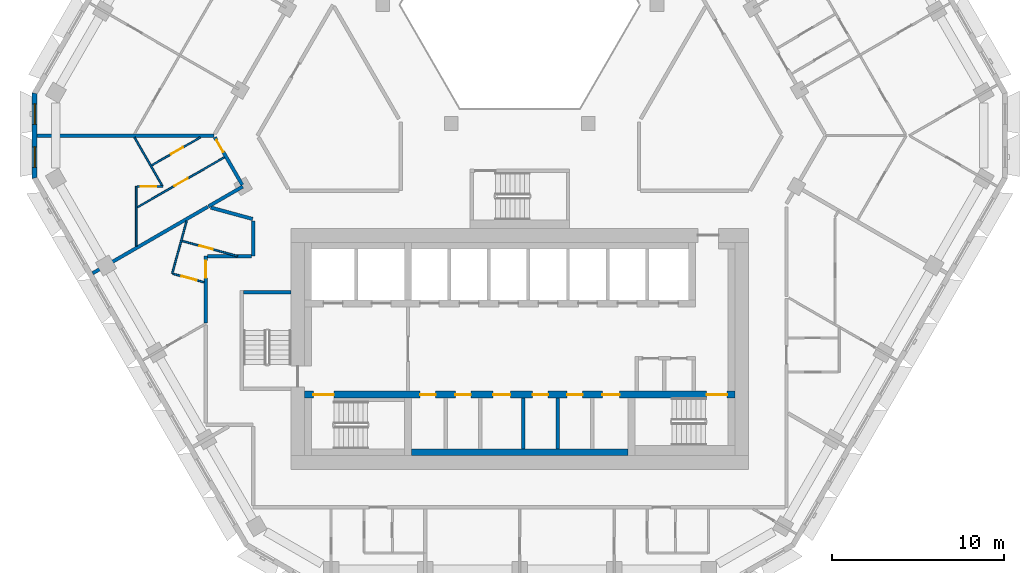
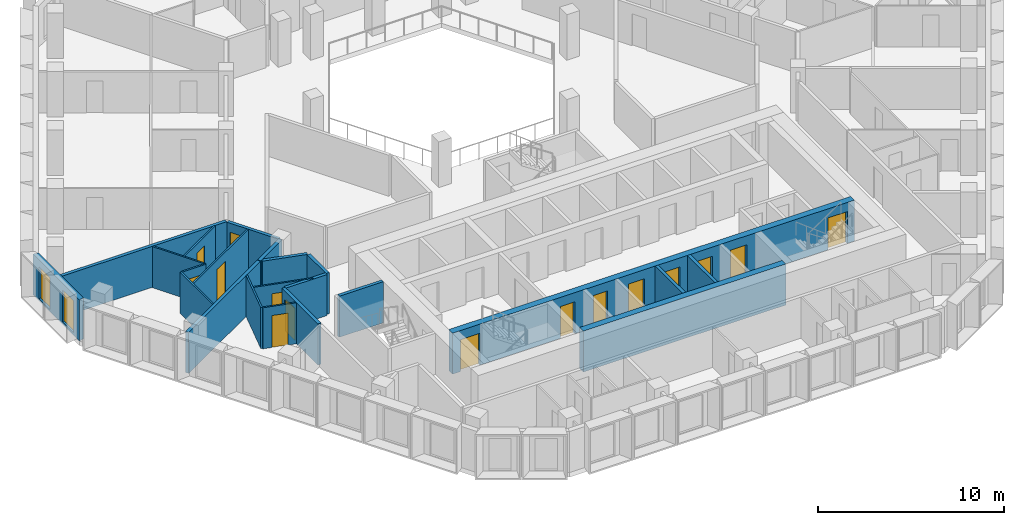
# One storey, part 4 of 18: 22 walls, 15 doors, 2 windows, 17 openings.
"""IFC4 building model written with IfcOpenShell, lengths in metres."""

from ifc_helpers import new_model, si_unit, direction, frame, frame_2d, origin, place, context, subcontext, project, spatial, polyline, rectangle, outline, extrude, material, layer, layer_set, type_object, element, fill, save


model = new_model("IFC4")

# Units and contexts
model_context = context("Model", 3, precision=1e-05, world=origin(), true_north=direction((0.0, 1.0)))
body_context = subcontext(model_context, "Body", "Model", "MODEL_VIEW")
ifc_project = project(units=[si_unit("LENGTHUNIT", "METRE"), si_unit("AREAUNIT", "SQUARE_METRE"), si_unit("VOLUMEUNIT", "CUBIC_METRE"), si_unit("PLANEANGLEUNIT", "RADIAN"), si_unit("MASSUNIT", "GRAM", prefix="KILO")], contexts=[model_context])

# Site, building, storey
site_placement = place(None, origin())
site = spatial("IfcSite", under=ifc_project, at=site_placement, CompositionType="ELEMENT")
building_placement = place(site_placement, origin())
building = spatial("IfcBuilding", under=site, at=building_placement, Name="Beryl Residences", CompositionType="ELEMENT")
storey_placement = place(building_placement, frame((0.0, 0.0, 138.60009765625)))
storey = spatial("IfcBuildingStorey", under=building, at=storey_placement, Name="L42", CompositionType="ELEMENT", Elevation=138.60009765625)

# Wall, openings, windows
ifc_material_1 = material(Name="Composite metal panel with mineral wool insulation")
ifc_layer_1 = layer(ifc_material_1, 0.300048828125)
ifc_layer_set_1 = layer_set([ifc_layer_1], Name="ES1 pale metal composite panel wall 300 mm")
wall_type_1 = type_object("IfcWallType", Name="ES1 pale metal composite panel wall 300 mm", PredefinedType="SOLIDWALL", material=ifc_layer_set_1)
wall_1_placement = place(storey_placement, frame((-28.197998046875, 2.89990234375, 0.0), z_axis=(0.0, 0.0, 1.0), x_axis=(0.0, -1.0, 0.0)))
wall_1 = element("IfcWall", 1, at=wall_1_placement, inside=storey, type_object=wall_type_1, Name="ES1 external wall L42 NW-SW", PredefinedType="SOLIDWALL", context=body_context, shape_type="SweptSolid", body=[
    extrude(outline(polyline([(0.0, -0.14990234375), (5.0, -0.14990234375), (4.919677734375, 0.14990234375), (0.080322265625, 0.14990234375), (0.0, -0.14990234375)])), origin(), (0.0, 0.0, 1.0), 2.699951171875),
])
opening_1_placement = place(wall_1_placement, frame((0.64990234375, 0.0, 0.14990234375)))
opening_1 = element("IfcOpeningElement", 2, at=opening_1_placement, cuts=wall_1, Name="Opening W2", PredefinedType="OPENING", context=body_context, shape_type="SweptSolid", body=[
    extrude(rectangle(XDim=1.199951171875, YDim=2.10009765625, at=frame_2d((0.60009765625, 1.050048828125))), frame((0.0, 0.159912109375, 0.0), z_axis=(0.0, -1.0, 0.0), x_axis=(1.0, 0.0, 0.0)), (0.0, 0.0, 1.0), 0.320068359375),
])
opening_2_placement = place(wall_1_placement, frame((3.14990234375, 0.0, 0.14990234375)))
opening_2 = element("IfcOpeningElement", 3, at=opening_2_placement, cuts=wall_1, Name="Opening W2", PredefinedType="OPENING", context=body_context, shape_type="SweptSolid", body=[
    extrude(rectangle(XDim=1.199951171875, YDim=2.10009765625, at=frame_2d((0.60009765625, 1.050048828125))), frame((0.0, 0.159912109375, 0.0), z_axis=(0.0, -1.0, 0.0), x_axis=(1.0, 0.0, 0.0)), (0.0, 0.0, 1.0), 0.320068359375),
])
ifc_material_2 = material(Name="Aluminium and clear glass", Category="aluminium")
window_type = type_object("IfcWindowType", Name="W2 chamfer window 1200 x 2100 mm", PartitioningType="SINGLE_PANEL", PredefinedType="WINDOW", material=ifc_material_2)
window_1_placement = place(opening_1_placement, origin())
window_1 = element("IfcWindow", 4, at=window_1_placement, inside=storey, type_object=window_type, Name="W2 window L42 NW-SW 1", OverallHeight=2.10009765625, OverallWidth=1.199951171875, PartitioningType="SINGLE_PANEL", PredefinedType="WINDOW", context=body_context, shape_type="SweptSolid", body=[
    extrude(rectangle(XDim=1.199951171875, YDim=2.10009765625, at=frame_2d((0.60009765625, 1.050048828125))), frame((0.0, 0.030029296875, 0.0), z_axis=(0.0, -1.0, 0.0), x_axis=(1.0, 0.0, 0.0)), (0.0, 0.0, 1.0), 0.06005859375),
])
fill(opening_1, window_1)
window_2_placement = place(opening_2_placement, origin())
window_2 = element("IfcWindow", 5, at=window_2_placement, inside=storey, type_object=window_type, Name="W2 window L42 NW-SW 2", OverallHeight=2.10009765625, OverallWidth=1.199951171875, PartitioningType="SINGLE_PANEL", PredefinedType="WINDOW", context=body_context, shape_type="SweptSolid", body=[
    extrude(rectangle(XDim=1.199951171875, YDim=2.10009765625, at=frame_2d((0.60009765625, 1.050048828125))), frame((0.0, 0.030029296875, 0.0), z_axis=(0.0, -1.0, 0.0), x_axis=(1.0, 0.0, 0.0)), (0.0, 0.0, 1.0), 0.06005859375),
])
fill(opening_2, window_2)

# Wall
ifc_material_3 = material(Name="Gypsum board partition on steel studs", Category="steel")
ifc_layer_2 = layer(ifc_material_3, 0.10009765625)
ifc_layer_set_2 = layer_set([ifc_layer_2], Name="PT1 partition 100 mm gypsum board on steel studs")
wall_type_2 = type_object("IfcWallType", Name="PT1 partition 100 mm gypsum board on steel studs", PredefinedType="PARTITIONING", material=ifc_layer_set_2)
wall_2_placement = place(storey_placement, frame((-22.39794921875, 0.299072265625, 0.0), z_axis=(0.0, 0.0, 1.0), x_axis=(0.50004249738, -0.86600086652, 0.0)))
element("IfcWall", 6, at=wall_2_placement, inside=storey, type_object=wall_type_2, Name="Wall PT1 L42 001", PredefinedType="PARTITIONING", context=body_context, shape_type="SweptSolid", body=[
    extrude(rectangle(XDim=3.235595703125, YDim=0.10009765625, at=frame_2d((1.61767578125, 0.0))), origin(), (0.0, 0.0, 1.0), 2.699951171875),
])

# Wall, opening, door
wall_3_placement = place(storey_placement, frame((-19.631103515625, -5.720947265625, 0.0), z_axis=(0.0, 0.0, 1.0), x_axis=(0.964816035809, -0.262925877475, 0.0)))
wall_3 = element("IfcWall", 7, at=wall_3_placement, inside=storey, type_object=wall_type_2, Name="Wall PT1 L42 011", PredefinedType="PARTITIONING", context=body_context, shape_type="SweptSolid", body=[
    extrude(rectangle(XDim=3.34375, YDim=0.10009765625, at=frame_2d((1.671875, 0.0))), origin(), (0.0, 0.0, 1.0), 2.699951171875),
])
opening_3_placement = place(wall_3_placement, frame((1.047119140625, 0.0, 0.0)))
opening_3 = element("IfcOpeningElement", 8, at=opening_3_placement, cuts=wall_3, Name="Opening D1102", PredefinedType="OPENING", context=body_context, shape_type="SweptSolid", body=[
    extrude(rectangle(XDim=0.800048828125, YDim=2.10009765625, at=frame_2d((0.39990234375, 1.050048828125))), frame((0.0, 0.06005859375, 0.0), z_axis=(0.0, -1.0, 0.0), x_axis=(1.0, 0.0, 0.0)), (0.0, 0.0, 1.0), 0.1201171875),
])
ifc_material_4 = material(Name="Timber door leaf", Category="wood")
door_type_1 = type_object("IfcDoorType", Name="D3 bathroom door 800 x 2100 mm", OperationType="SINGLE_SWING_LEFT", PredefinedType="DOOR", material=ifc_material_4)
door_1_placement = place(opening_3_placement, origin())
door_1 = element("IfcDoor", 9, at=door_1_placement, inside=storey, type_object=door_type_1, Name="Door D1102 L42 001", OperationType="SINGLE_SWING_RIGHT", OverallHeight=2.10009765625, OverallWidth=0.800048828125, PredefinedType="DOOR", context=body_context, shape_type="SweptSolid", body=[
    extrude(rectangle(XDim=0.800048828125, YDim=2.10009765625, at=frame_2d((0.39990234375, 1.050048828125))), frame((0.0, 0.02490234375, 0.0), z_axis=(0.0, -1.0, 0.0), x_axis=(1.0, 0.0, 0.0)), (0.0, 0.0, 1.0), 0.050048828125),
])
fill(opening_3, door_1)

wall_4_placement = place(storey_placement, frame((-20.15087890625, -7.631103515625, 0.0), z_axis=(0.0, 0.0, 1.0), x_axis=(0.964784947449, -0.263039930765, 0.0)))
wall_4 = element("IfcWall", 10, at=wall_4_placement, inside=storey, type_object=wall_type_2, Name="Wall PT1 L42 012", PredefinedType="PARTITIONING", context=body_context, shape_type="SweptSolid", body=[
    extrude(rectangle(XDim=1.866455078125, YDim=0.10009765625, at=frame_2d((0.93310546875, 0.0))), origin(), (0.0, 0.0, 1.0), 2.699951171875),
])
opening_4_placement = place(wall_4_placement, frame((0.510009765625, 0.0, 0.0)))
opening_4 = element("IfcOpeningElement", 11, at=opening_4_placement, cuts=wall_4, Name="Opening D1103", PredefinedType="OPENING", context=body_context, shape_type="SweptSolid", body=[
    extrude(rectangle(XDim=0.89990234375, YDim=2.10009765625, at=frame_2d((0.449951171875, 1.050048828125))), frame((0.0, 0.06005859375, 0.0), z_axis=(0.0, -1.0, 0.0), x_axis=(1.0, 0.0, 0.0)), (0.0, 0.0, 1.0), 0.1201171875),
])
ifc_material_5 = material(Name="Timber door leaf", Category="wood")
door_type_2 = type_object("IfcDoorType", Name="D2 room door 900 x 2100 mm", OperationType="SINGLE_SWING_LEFT", PredefinedType="DOOR", material=ifc_material_5)
door_2_placement = place(opening_4_placement, origin())
door_2 = element("IfcDoor", 12, at=door_2_placement, inside=storey, type_object=door_type_2, Name="Door D1103 L42 001", OperationType="SINGLE_SWING_LEFT", OverallHeight=2.10009765625, OverallWidth=0.89990234375, PredefinedType="DOOR", context=body_context, shape_type="SweptSolid", body=[
    extrude(rectangle(XDim=0.89990234375, YDim=2.10009765625, at=frame_2d((0.449951171875, 1.050048828125))), frame((0.0, 0.02490234375, 0.0), z_axis=(0.0, -1.0, 0.0), x_axis=(1.0, 0.0, 0.0)), (0.0, 0.0, 1.0), 0.050048828125),
])
fill(opening_4, door_2)

wall_5_placement = place(storey_placement, frame((-22.2470703125, -2.552978515625, 0.0), z_axis=(0.0, 0.0, 1.0), x_axis=(1.0, 0.0, 0.0)))
wall_5 = element("IfcWall", 13, at=wall_5_placement, inside=storey, type_object=wall_type_2, Name="Wall PT1 L42 023", PredefinedType="PARTITIONING", context=body_context, shape_type="SweptSolid", body=[
    extrude(rectangle(XDim=1.49609375, YDim=0.10009765625, at=frame_2d((0.748046875, 0.0))), origin(), (0.0, 0.0, 1.0), 2.699951171875),
])
opening_5_placement = place(wall_5_placement, frame((0.222900390625, 0.0, 0.0)))
opening_5 = element("IfcOpeningElement", 14, at=opening_5_placement, cuts=wall_5, Name="Opening D1153", PredefinedType="OPENING", context=body_context, shape_type="SweptSolid", body=[
    extrude(rectangle(XDim=0.89990234375, YDim=2.10009765625, at=frame_2d((0.449951171875, 1.050048828125))), frame((0.0, 0.06005859375, 0.0), z_axis=(0.0, -1.0, 0.0), x_axis=(1.0, 0.0, 0.0)), (0.0, 0.0, 1.0), 0.1201171875),
])
door_3_placement = place(opening_5_placement, origin())
door_3 = element("IfcDoor", 15, at=door_3_placement, inside=storey, type_object=door_type_2, Name="Door D1153 L42 001", OperationType="SINGLE_SWING_LEFT", OverallHeight=2.10009765625, OverallWidth=0.89990234375, PredefinedType="DOOR", context=body_context, shape_type="SweptSolid", body=[
    extrude(rectangle(XDim=0.89990234375, YDim=2.10009765625, at=frame_2d((0.449951171875, 1.050048828125))), frame((0.0, 0.02490234375, 0.0), z_axis=(0.0, -1.0, 0.0), x_axis=(1.0, 0.0, 0.0)), (0.0, 0.0, 1.0), 0.050048828125),
])
fill(opening_5, door_3)

# Walls
wall_6_placement = place(storey_placement, frame((-20.199951171875, -7.616943359375, 0.0), z_axis=(0.0, 0.0, 1.0), x_axis=(0.263150035392, 0.964754921663, 0.0)))
element("IfcWall", 16, at=wall_6_placement, inside=storey, type_object=wall_type_2, Name="Wall PT1 L42 035", PredefinedType="PARTITIONING", context=body_context, shape_type="SweptSolid", body=[
    extrude(rectangle(XDim=3.16552734375, YDim=0.10009765625, at=frame_2d((1.582763671875, 0.0))), origin(), (0.0, 0.0, 1.0), 2.699951171875),
])
wall_7_placement = place(storey_placement, frame((-22.297119140625, -6.02294921875, 0.0), z_axis=(0.0, 0.0, 1.0), x_axis=(0.0, 1.0, 0.0)))
element("IfcWall", 17, at=wall_7_placement, inside=storey, type_object=wall_type_2, Name="Wall PT1 L42 049", PredefinedType="PARTITIONING", context=body_context, shape_type="SweptSolid", body=[
    extrude(rectangle(XDim=3.469970703125, YDim=0.10009765625, at=frame_2d((1.73486328125, 0.0))), origin(), (0.0, 0.0, 1.0), 2.699951171875),
])

# Wall, opening, door
wall_8_placement = place(storey_placement, frame((-22.2470703125, -3.77587890625, 0.0), z_axis=(0.0, 0.0, 1.0), x_axis=(0.867243093247, 0.497884943752, 0.0)))
wall_8 = element("IfcWall", 18, at=wall_8_placement, inside=storey, type_object=wall_type_2, Name="Wall PT1 L42 054", PredefinedType="PARTITIONING", context=body_context, shape_type="SweptSolid", body=[
    extrude(rectangle(XDim=5.854248046875, YDim=0.10009765625, at=frame_2d((2.92724609375, 0.0))), origin(), (0.0, 0.0, 1.0), 2.699951171875),
])
opening_6_placement = place(wall_8_placement, frame((2.498046875, 0.0, 0.0)))
opening_6 = element("IfcOpeningElement", 19, at=opening_6_placement, cuts=wall_8, Name="Opening D1151", PredefinedType="OPENING", context=body_context, shape_type="SweptSolid", body=[
    extrude(rectangle(XDim=0.89990234375, YDim=2.10009765625, at=frame_2d((0.449951171875, 1.050048828125))), frame((0.0, 0.06005859375, 0.0), z_axis=(0.0, -1.0, 0.0), x_axis=(1.0, 0.0, 0.0)), (0.0, 0.0, 1.0), 0.1201171875),
])
door_4_placement = place(opening_6_placement, origin())
door_4 = element("IfcDoor", 20, at=door_4_placement, inside=storey, type_object=door_type_2, Name="Door D1151 L42 001", OperationType="SINGLE_SWING_LEFT", OverallHeight=2.10009765625, OverallWidth=0.89990234375, PredefinedType="DOOR", context=body_context, shape_type="SweptSolid", body=[
    extrude(rectangle(XDim=0.89990234375, YDim=2.10009765625, at=frame_2d((0.449951171875, 1.050048828125))), frame((0.0, 0.02490234375, 0.0), z_axis=(0.0, -1.0, 0.0), x_axis=(1.0, 0.0, 0.0)), (0.0, 0.0, 1.0), 0.050048828125),
])
fill(opening_6, door_4)

wall_9_placement = place(storey_placement, frame((-21.39990234375, -1.3291015625, 0.0), z_axis=(0.0, 0.0, 1.0), x_axis=(0.867235187435, 0.497898714274, 0.0)))
wall_9 = element("IfcWall", 21, at=wall_9_placement, inside=storey, type_object=wall_type_2, Name="Wall PT1 L42 055", PredefinedType="PARTITIONING", context=body_context, shape_type="SweptSolid", body=[
    extrude(rectangle(XDim=3.27001953125, YDim=0.10009765625, at=frame_2d((1.635009765625, 0.0))), origin(), (0.0, 0.0, 1.0), 2.699951171875),
])
opening_7_placement = place(wall_9_placement, frame((1.31005859375, 0.0, 0.0)))
opening_7 = element("IfcOpeningElement", 22, at=opening_7_placement, cuts=wall_9, Name="Opening D1152", PredefinedType="OPENING", context=body_context, shape_type="SweptSolid", body=[
    extrude(rectangle(XDim=0.800048828125, YDim=2.10009765625, at=frame_2d((0.39990234375, 1.050048828125))), frame((0.0, 0.06005859375, 0.0), z_axis=(0.0, -1.0, 0.0), x_axis=(1.0, 0.0, 0.0)), (0.0, 0.0, 1.0), 0.1201171875),
])
door_5_placement = place(opening_7_placement, origin())
door_5 = element("IfcDoor", 23, at=door_5_placement, inside=storey, type_object=door_type_1, Name="Door D1152 L42 001", OperationType="SINGLE_SWING_RIGHT", OverallHeight=2.10009765625, OverallWidth=0.800048828125, PredefinedType="DOOR", context=body_context, shape_type="SweptSolid", body=[
    extrude(rectangle(XDim=0.800048828125, YDim=2.10009765625, at=frame_2d((0.39990234375, 1.050048828125))), frame((0.0, 0.02490234375, 0.0), z_axis=(0.0, -1.0, 0.0), x_axis=(1.0, 0.0, 0.0)), (0.0, 0.0, 1.0), 0.050048828125),
])
fill(opening_7, door_5)

# Walls
ifc_material_6 = material(Name="Acoustic double stud gypsum board wall")
ifc_layer_3 = layer(ifc_material_6, 0.199951171875)
ifc_layer_set_3 = layer_set([ifc_layer_3], Name="PT3 party wall 200 mm acoustic double stud")
wall_type_3 = type_object("IfcWallType", Name="PT3 party wall 200 mm acoustic double stud", PredefinedType="PARTITIONING", material=ifc_layer_set_3)
wall_10_placement = place(storey_placement, frame((-17.9560546875, -3.782958984375, 0.0), z_axis=(0.0, 0.0, 1.0), x_axis=(0.964815336827, -0.2629284424, 0.0)))
element("IfcWall", 24, at=wall_10_placement, inside=storey, type_object=wall_type_3, Name="Wall PT3 L42 004", PredefinedType="PARTITIONING", context=body_context, shape_type="SweptSolid", body=[
    extrude(rectangle(XDim=2.514404296875, YDim=0.199951171875, at=frame_2d((1.25732421875, 0.0))), origin(), (0.0, 0.0, 1.0), 2.699951171875),
])
wall_11_placement = place(storey_placement, frame((-28.048095703125, 0.39892578125, 0.0), z_axis=(0.0, 0.0, 1.0), x_axis=(1.0, 0.0, 0.0)))
element("IfcWall", 25, at=wall_11_placement, inside=storey, type_object=wall_type_3, Name="Wall PT3 L42 007", PredefinedType="PARTITIONING", context=body_context, shape_type="SweptSolid", body=[
    extrude(rectangle(XDim=10.26611328125, YDim=0.199951171875, at=frame_2d((5.133056640625, 0.0))), origin(), (0.0, 0.0, 1.0), 2.699951171875),
])
wall_12_placement = place(storey_placement, frame((-24.825927734375, -7.59912109375, 0.0), z_axis=(0.0, 0.0, 1.0), x_axis=(0.866031973572, 0.499988620622, 0.0)))
element("IfcWall", 26, at=wall_12_placement, inside=storey, type_object=wall_type_3, Name="Wall PT3 L42 013", PredefinedType="PARTITIONING", context=body_context, shape_type="SweptSolid", body=[
    extrude(rectangle(XDim=7.728271484375, YDim=0.199951171875, at=frame_2d((3.8642578125, 0.0))), origin(), (0.0, 0.0, 1.0), 2.699951171875),
])
wall_13_placement = place(storey_placement, frame((-18.095947265625, -3.714111328125, 0.0), z_axis=(0.0, 0.0, 1.0), x_axis=(0.865794513859, 0.500399700011, 0.0)))
element("IfcWall", 27, at=wall_13_placement, inside=storey, type_object=wall_type_3, Name="Wall PT3 L42 014", PredefinedType="PARTITIONING", context=body_context, shape_type="SweptSolid", body=[
    extrude(rectangle(XDim=2.29833984375, YDim=0.199951171875, at=frame_2d((1.149169921875, 0.0))), origin(), (0.0, 0.0, 1.0), 2.699951171875),
])

# Wall, opening, door
ifc_material_7 = material(Name="Double stud gypsum board wall")
ifc_layer_4 = layer(ifc_material_7, 0.199951171875)
ifc_layer_set_4 = layer_set([ifc_layer_4], Name="PT4 corridor wall 200 mm double stud")
wall_type_4 = type_object("IfcWallType", Name="PT4 corridor wall 200 mm double stud", PredefinedType="PARTITIONING", material=ifc_layer_set_4)
wall_14_placement = place(storey_placement, frame((-17.72412109375, 0.299072265625, 0.0), z_axis=(0.0, 0.0, 1.0), x_axis=(0.499910220442, -0.866077231832, 0.0)))
wall_14 = element("IfcWall", 28, at=wall_14_placement, inside=storey, type_object=wall_type_4, Name="Wall PT4 L42 003", PredefinedType="PARTITIONING", context=body_context, shape_type="SweptSolid", body=[
    extrude(rectangle(XDim=3.18896484375, YDim=0.199951171875, at=frame_2d((1.594482421875, 0.0))), origin(), (0.0, 0.0, 1.0), 2.699951171875),
])
opening_8_placement = place(wall_14_placement, frame((0.18310546875, 0.0, 0.0)))
opening_8 = element("IfcOpeningElement", 29, at=opening_8_placement, cuts=wall_14, Name="Opening D1150", PredefinedType="OPENING", context=body_context, shape_type="SweptSolid", body=[
    extrude(rectangle(XDim=0.800048828125, YDim=2.10009765625, at=frame_2d((0.39990234375, 1.050048828125))), frame((0.0, 0.10986328125, 0.0), z_axis=(0.0, -1.0, 0.0), x_axis=(1.0, 0.0, 0.0)), (0.0, 0.0, 1.0), 0.219970703125),
])
ifc_material_8 = material(Name="Timber door leaf", Category="wood")
door_type_3 = type_object("IfcDoorType", Name="D12 flat entrance door 800 x 2100 mm", OperationType="SINGLE_SWING_LEFT", PredefinedType="DOOR", material=ifc_material_8)
door_6_placement = place(opening_8_placement, origin())
door_6 = element("IfcDoor", 30, at=door_6_placement, inside=storey, type_object=door_type_3, Name="Door D1150 L42 001", OperationType="SINGLE_SWING_RIGHT", OverallHeight=2.10009765625, OverallWidth=0.800048828125, PredefinedType="DOOR", context=body_context, shape_type="SweptSolid", body=[
    extrude(rectangle(XDim=0.800048828125, YDim=2.10009765625, at=frame_2d((0.39990234375, 1.050048828125))), frame((0.0, 0.02490234375, 0.0), z_axis=(0.0, -1.0, 0.0), x_axis=(1.0, 0.0, 0.0)), (0.0, 0.0, 1.0), 0.050048828125),
])
fill(opening_8, door_6)

# Walls
wall_15_placement = place(storey_placement, frame((-18.14990234375, -6.60009765625, 0.0), z_axis=(0.0, 0.0, 1.0), x_axis=(1.0, 0.0, 0.0)))
element("IfcWall", 31, at=wall_15_placement, inside=storey, type_object=wall_type_4, Name="Wall PT4 L42 010", PredefinedType="PARTITIONING", context=body_context, shape_type="SweptSolid", body=[
    extrude(rectangle(XDim=2.5498046875, YDim=0.199951171875, at=frame_2d((1.27490234375, 0.0))), origin(), (0.0, 0.0, 1.0), 2.699951171875),
])
wall_16_placement = place(storey_placement, frame((-15.5, -6.60009765625, 0.0), z_axis=(0.0, 0.0, 1.0), x_axis=(0.0, 1.0, 0.0)))
element("IfcWall", 32, at=wall_16_placement, inside=storey, type_object=wall_type_4, Name="Wall PT4 L42 027", PredefinedType="PARTITIONING", context=body_context, shape_type="SweptSolid", body=[
    extrude(rectangle(XDim=2.044189453125, YDim=0.199951171875, at=frame_2d((1.02197265625, 0.0))), origin(), (0.0, 0.0, 1.0), 2.699951171875),
])

# Wall, opening, door
wall_17_placement = place(storey_placement, frame((-18.25, -10.47802734375, 0.0), z_axis=(0.0, 0.0, 1.0), x_axis=(0.0, 1.0, 0.0)))
wall_17 = element("IfcWall", 33, at=wall_17_placement, inside=storey, type_object=wall_type_4, Name="Wall PT4 L42 028", PredefinedType="PARTITIONING", context=body_context, shape_type="SweptSolid", body=[
    extrude(rectangle(XDim=3.8779296875, YDim=0.199951171875, at=frame_2d((1.93896484375, 0.0))), origin(), (0.0, 0.0, 1.0), 2.699951171875),
])
opening_9_placement = place(wall_17_placement, frame((2.60791015625, 0.0, 0.0)))
opening_9 = element("IfcOpeningElement", 34, at=opening_9_placement, cuts=wall_17, Name="Opening D1101", PredefinedType="OPENING", context=body_context, shape_type="SweptSolid", body=[
    extrude(rectangle(XDim=1.0, YDim=2.10009765625, at=frame_2d((0.5, 1.050048828125))), frame((0.0, 0.10986328125, 0.0), z_axis=(0.0, -1.0, 0.0), x_axis=(1.0, 0.0, 0.0)), (0.0, 0.0, 1.0), 0.219970703125),
])
ifc_material_9 = material(Name="Timber door leaf", Category="wood")
door_type_4 = type_object("IfcDoorType", Name="D1 flat entrance door 1000 x 2100 mm", OperationType="SINGLE_SWING_LEFT", PredefinedType="DOOR", material=ifc_material_9)
door_7_placement = place(opening_9_placement, origin())
door_7 = element("IfcDoor", 35, at=door_7_placement, inside=storey, type_object=door_type_4, Name="Door D1101 L42 001", OperationType="SINGLE_SWING_LEFT", OverallHeight=2.10009765625, OverallWidth=1.0, PredefinedType="DOOR", context=body_context, shape_type="SweptSolid", body=[
    extrude(rectangle(XDim=1.0, YDim=2.10009765625, at=frame_2d((0.5, 1.050048828125))), frame((0.0, 0.02490234375, 0.0), z_axis=(0.0, -1.0, 0.0), x_axis=(1.0, 0.0, 0.0)), (0.0, 0.0, 1.0), 0.050048828125),
])
fill(opening_9, door_7)

# Walls
ifc_material_10 = material(Name="Concrete C40/50", Category="concrete")
ifc_layer_5 = layer(ifc_material_10, 0.199951171875)
ifc_layer_set_5 = layer_set([ifc_layer_5], Name="PT5 stair enclosure wall 200 mm reinforced concrete C40/50")
wall_type_5 = type_object("IfcWallType", Name="PT5 stair enclosure wall 200 mm reinforced concrete C40/50", PredefinedType="SOLIDWALL", material=ifc_layer_set_5)
wall_18_placement = place(storey_placement, frame((-16.050048828125, -8.699951171875, 0.0), z_axis=(0.0, 0.0, 1.0), x_axis=(1.0, 0.0, 0.0)))
element("IfcWall", 36, at=wall_18_placement, inside=storey, type_object=wall_type_5, Name="Stair wall 03", PredefinedType="SOLIDWALL", context=body_context, shape_type="SweptSolid", body=[
    extrude(rectangle(XDim=2.75, YDim=0.199951171875, at=frame_2d((1.375, 0.0))), origin(), (0.0, 0.0, 1.0), 2.699951171875),
])
ifc_material_11 = material(Name="Concrete masonry", Category="masonry")
ifc_layer_6 = layer(ifc_material_11, 0.199951171875)
ifc_layer_set_6 = layer_set([ifc_layer_6], Name="PT8-200 service room wall 200 mm")
wall_type_6 = type_object("IfcWallType", Name="PT8-200 service room wall 200 mm", PredefinedType="PARTITIONING", material=ifc_layer_set_6)
for number, where, z_axis, x_axis, name in (
    (37, (0.199951171875, -17.800048828125, 0.0), (0.0, 0.0, 1.0), (0.0, 1.0, 0.0), "Core room wall 18"),
    (38, (2.199951171875, -17.800048828125, 0.0), (0.0, 0.0, 1.0), (0.0, 1.0, 0.0), "Core room wall 20"),
):
    element("IfcWall", number, at=place(storey_placement, frame(where, z_axis=z_axis, x_axis=x_axis)), inside=storey, type_object=wall_type_6, Name=name, PredefinedType="PARTITIONING", context=body_context, shape_type="SweptSolid", body=[
        extrude(rectangle(XDim=2.949951171875, YDim=0.199951171875, at=frame_2d((1.47509765625, 0.0))), origin(), (0.0, 0.0, 1.0), 2.699951171875),
    ])
ifc_material_12 = material(Name="Concrete masonry", Category="masonry")
ifc_layer_7 = layer(ifc_material_12, 0.39990234375)
ifc_layer_set_7 = layer_set([ifc_layer_7], Name="PT8-400 service room wall 400 mm")
wall_type_7 = type_object("IfcWallType", Name="PT8-400 service room wall 400 mm", PredefinedType="PARTITIONING", material=ifc_layer_set_7)
wall_19_placement = place(storey_placement, frame((-6.300048828125, -18.0, 0.0), z_axis=(0.0, 0.0, 1.0), x_axis=(1.0, 0.0, 0.0)))
element("IfcWall", 39, at=wall_19_placement, inside=storey, type_object=wall_type_7, Name="Core room wall 12", PredefinedType="PARTITIONING", context=body_context, shape_type="SweptSolid", body=[
    extrude(rectangle(XDim=12.60009765625, YDim=0.39990234375, at=frame_2d((6.300048828125, 0.0))), origin(), (0.0, 0.0, 1.0), 2.699951171875),
])

# Wall, openings, doors
ifc_material_13 = material(Name="Concrete C60/75", Category="concrete")
ifc_layer_8 = layer(ifc_material_13, 0.39990234375)
ifc_layer_set_8 = layer_set([ifc_layer_8], Name="SW8 core internal wall 400 mm C60/75")
wall_type_8 = type_object("IfcWallType", Name="SW8 core internal wall 400 mm C60/75", PredefinedType="SHEAR", material=ifc_layer_set_8)
wall_20_placement = place(storey_placement, frame((-12.5, -14.64990234375, 0.0), z_axis=(0.0, 0.0, 1.0), x_axis=(1.0, 0.0, 0.0)))
wall_20 = element("IfcWall", 40, at=wall_20_placement, inside=storey, type_object=wall_type_8, Name="Core wall SP1 L42", PredefinedType="SHEAR", context=body_context, shape_type="SweptSolid", body=[
    extrude(rectangle(XDim=25.0, YDim=0.39990234375, at=frame_2d((12.5, 0.0))), origin(), (0.0, 0.0, 1.0), 2.699951171875),
])
opening_10_placement = place(wall_20_placement, frame((1.699951171875, 0.0, 0.0), z_axis=(0.0, 0.0, 1.0), x_axis=(-1.0, 0.0, 0.0)))
opening_10 = element("IfcOpeningElement", 41, at=opening_10_placement, cuts=wall_20, Name="Opening SD-1", PredefinedType="OPENING", context=body_context, shape_type="SweptSolid", body=[
    extrude(rectangle(XDim=1.199951171875, YDim=2.10009765625, at=frame_2d((0.60009765625, 1.050048828125))), frame((0.0, 0.2099609375, 0.0), z_axis=(0.0, -1.0, 0.0), x_axis=(1.0, 0.0, 0.0)), (0.0, 0.0, 1.0), 0.419921875),
])
opening_11_placement = place(wall_20_placement, frame((24.550048828125, 0.0, 0.0), z_axis=(0.0, 0.0, 1.0), x_axis=(-1.0, 0.0, 0.0)))
opening_11 = element("IfcOpeningElement", 42, at=opening_11_placement, cuts=wall_20, Name="Opening SD-3", PredefinedType="OPENING", context=body_context, shape_type="SweptSolid", body=[
    extrude(rectangle(XDim=1.199951171875, YDim=2.10009765625, at=frame_2d((0.60009765625, 1.050048828125))), frame((0.0, 0.2099609375, 0.0), z_axis=(0.0, -1.0, 0.0), x_axis=(1.0, 0.0, 0.0)), (0.0, 0.0, 1.0), 0.419921875),
])
opening_12_placement = place(wall_20_placement, frame((7.599853515625, 0.0, 0.0), z_axis=(0.0, 0.0, 1.0), x_axis=(-1.0, 0.0, 0.0)))
opening_12 = element("IfcOpeningElement", 43, at=opening_12_placement, cuts=wall_20, Name="Opening CD-D-S1-900", PredefinedType="OPENING", context=body_context, shape_type="SweptSolid", body=[
    extrude(rectangle(XDim=0.89990234375, YDim=2.10009765625, at=frame_2d((0.449951171875, 1.050048828125))), frame((0.0, 0.2099609375, 0.0), z_axis=(0.0, -1.0, 0.0), x_axis=(1.0, 0.0, 0.0)), (0.0, 0.0, 1.0), 0.419921875),
])
opening_13_placement = place(wall_20_placement, frame((9.64990234375, 0.0, 0.0), z_axis=(0.0, 0.0, 1.0), x_axis=(-1.0, 0.0, 0.0)))
opening_13 = element("IfcOpeningElement", 44, at=opening_13_placement, cuts=wall_20, Name="Opening CD-D-S2-900", PredefinedType="OPENING", context=body_context, shape_type="SweptSolid", body=[
    extrude(rectangle(XDim=0.89990234375, YDim=2.10009765625, at=frame_2d((0.449951171875, 1.050048828125))), frame((0.0, 0.2099609375, 0.0), z_axis=(0.0, -1.0, 0.0), x_axis=(1.0, 0.0, 0.0)), (0.0, 0.0, 1.0), 0.419921875),
])
opening_14_placement = place(wall_20_placement, frame((11.949951171875, 0.0, 0.0), z_axis=(0.0, 0.0, 1.0), x_axis=(-1.0, 0.0, 0.0)))
opening_14 = element("IfcOpeningElement", 45, at=opening_14_placement, cuts=wall_20, Name="Opening CD-D-S3", PredefinedType="OPENING", context=body_context, shape_type="SweptSolid", body=[
    extrude(rectangle(XDim=1.0, YDim=2.10009765625, at=frame_2d((0.5, 1.050048828125))), frame((0.0, 0.2099609375, 0.0), z_axis=(0.0, -1.0, 0.0), x_axis=(1.0, 0.0, 0.0)), (0.0, 0.0, 1.0), 0.419921875),
])
opening_15_placement = place(wall_20_placement, frame((14.14990234375, 0.0, 0.0), z_axis=(0.0, 0.0, 1.0), x_axis=(-1.0, 0.0, 0.0)))
opening_15 = element("IfcOpeningElement", 46, at=opening_15_placement, cuts=wall_20, Name="Opening CD-D-S4-900", PredefinedType="OPENING", context=body_context, shape_type="SweptSolid", body=[
    extrude(rectangle(XDim=0.89990234375, YDim=2.10009765625, at=frame_2d((0.449951171875, 1.050048828125))), frame((0.0, 0.2099609375, 0.0), z_axis=(0.0, -1.0, 0.0), x_axis=(1.0, 0.0, 0.0)), (0.0, 0.0, 1.0), 0.419921875),
])
opening_16_placement = place(wall_20_placement, frame((16.14990234375, 0.0, 0.0), z_axis=(0.0, 0.0, 1.0), x_axis=(-1.0, 0.0, 0.0)))
opening_16 = element("IfcOpeningElement", 47, at=opening_16_placement, cuts=wall_20, Name="Opening CD-D-S5-900", PredefinedType="OPENING", context=body_context, shape_type="SweptSolid", body=[
    extrude(rectangle(XDim=0.89990234375, YDim=2.10009765625, at=frame_2d((0.449951171875, 1.050048828125))), frame((0.0, 0.2099609375, 0.0), z_axis=(0.0, -1.0, 0.0), x_axis=(1.0, 0.0, 0.0)), (0.0, 0.0, 1.0), 0.419921875),
])
opening_17_placement = place(wall_20_placement, frame((18.300048828125, 0.0, 0.0), z_axis=(0.0, 0.0, 1.0), x_axis=(-1.0, 0.0, 0.0)))
opening_17 = element("IfcOpeningElement", 48, at=opening_17_placement, cuts=wall_20, Name="Opening CD-D-S6", PredefinedType="OPENING", context=body_context, shape_type="SweptSolid", body=[
    extrude(rectangle(XDim=1.0, YDim=2.10009765625, at=frame_2d((0.5, 1.050048828125))), frame((0.0, 0.2099609375, 0.0), z_axis=(0.0, -1.0, 0.0), x_axis=(1.0, 0.0, 0.0)), (0.0, 0.0, 1.0), 0.419921875),
])
ifc_material_14 = material(Name="Steel door leaf in steel frame", Category="steel")
door_type_5 = type_object("IfcDoorType", Name="D18 service room door 1000 x 2100 mm", OperationType="SINGLE_SWING_LEFT", PredefinedType="DOOR", material=ifc_material_14)
door_8_placement = place(opening_14_placement, origin())
door_8 = element("IfcDoor", 49, at=door_8_placement, inside=storey, type_object=door_type_5, Name="Door CD-D-S3 L42 001", OperationType="SINGLE_SWING_RIGHT", OverallHeight=2.10009765625, OverallWidth=1.0, PredefinedType="DOOR", context=body_context, shape_type="SweptSolid", body=[
    extrude(rectangle(XDim=1.0, YDim=2.10009765625, at=frame_2d((0.5, 1.050048828125))), frame((0.0, 0.02490234375, 0.0), z_axis=(0.0, -1.0, 0.0), x_axis=(1.0, 0.0, 0.0)), (0.0, 0.0, 1.0), 0.050048828125),
])
fill(opening_14, door_8)
door_9_placement = place(opening_17_placement, origin())
door_9 = element("IfcDoor", 50, at=door_9_placement, inside=storey, type_object=door_type_5, Name="Door CD-D-S6 L42 001", OperationType="SINGLE_SWING_LEFT", OverallHeight=2.10009765625, OverallWidth=1.0, PredefinedType="DOOR", context=body_context, shape_type="SweptSolid", body=[
    extrude(rectangle(XDim=1.0, YDim=2.10009765625, at=frame_2d((0.5, 1.050048828125))), frame((0.0, 0.02490234375, 0.0), z_axis=(0.0, -1.0, 0.0), x_axis=(1.0, 0.0, 0.0)), (0.0, 0.0, 1.0), 0.050048828125),
])
fill(opening_17, door_9)
ifc_material_15 = material(Name="Steel door leaf in steel frame", Category="steel")
door_type_6 = type_object("IfcDoorType", Name="D4 stair door 1200 x 2100 mm", OperationType="SINGLE_SWING_LEFT", PredefinedType="DOOR", material=ifc_material_15)
door_10_placement = place(opening_10_placement, origin())
door_10 = element("IfcDoor", 51, at=door_10_placement, inside=storey, type_object=door_type_6, Name="Door SD-1 L42 001", OperationType="SINGLE_SWING_RIGHT", OverallHeight=2.10009765625, OverallWidth=1.199951171875, PredefinedType="DOOR", context=body_context, shape_type="SweptSolid", body=[
    extrude(rectangle(XDim=1.199951171875, YDim=2.10009765625, at=frame_2d((0.60009765625, 1.050048828125))), frame((0.0, 0.02490234375, 0.0), z_axis=(0.0, -1.0, 0.0), x_axis=(1.0, 0.0, 0.0)), (0.0, 0.0, 1.0), 0.050048828125),
])
fill(opening_10, door_10)
door_11_placement = place(opening_11_placement, origin())
door_11 = element("IfcDoor", 52, at=door_11_placement, inside=storey, type_object=door_type_6, Name="Door SD-3 L42 001", OperationType="SINGLE_SWING_RIGHT", OverallHeight=2.10009765625, OverallWidth=1.199951171875, PredefinedType="DOOR", context=body_context, shape_type="SweptSolid", body=[
    extrude(rectangle(XDim=1.199951171875, YDim=2.10009765625, at=frame_2d((0.60009765625, 1.050048828125))), frame((0.0, 0.02490234375, 0.0), z_axis=(0.0, -1.0, 0.0), x_axis=(1.0, 0.0, 0.0)), (0.0, 0.0, 1.0), 0.050048828125),
])
fill(opening_11, door_11)
ifc_material_16 = material(Name="Steel door leaf in steel frame", Category="steel")
door_type_7 = type_object("IfcDoorType", Name="D6 service room door 900 x 2100 mm", OperationType="SINGLE_SWING_LEFT", PredefinedType="DOOR", material=ifc_material_16)
door_12_placement = place(opening_12_placement, origin())
door_12 = element("IfcDoor", 53, at=door_12_placement, inside=storey, type_object=door_type_7, Name="Door CD-D-S1-900 L42 001", OperationType="SINGLE_SWING_RIGHT", OverallHeight=2.10009765625, OverallWidth=0.89990234375, PredefinedType="DOOR", context=body_context, shape_type="SweptSolid", body=[
    extrude(rectangle(XDim=0.89990234375, YDim=2.10009765625, at=frame_2d((0.449951171875, 1.050048828125))), frame((0.0, 0.02490234375, 0.0), z_axis=(0.0, -1.0, 0.0), x_axis=(1.0, 0.0, 0.0)), (0.0, 0.0, 1.0), 0.050048828125),
])
fill(opening_12, door_12)
door_13_placement = place(opening_13_placement, origin())
door_13 = element("IfcDoor", 54, at=door_13_placement, inside=storey, type_object=door_type_7, Name="Door CD-D-S2-900 L42 001", OperationType="SINGLE_SWING_LEFT", OverallHeight=2.10009765625, OverallWidth=0.89990234375, PredefinedType="DOOR", context=body_context, shape_type="SweptSolid", body=[
    extrude(rectangle(XDim=0.89990234375, YDim=2.10009765625, at=frame_2d((0.449951171875, 1.050048828125))), frame((0.0, 0.02490234375, 0.0), z_axis=(0.0, -1.0, 0.0), x_axis=(1.0, 0.0, 0.0)), (0.0, 0.0, 1.0), 0.050048828125),
])
fill(opening_13, door_13)
door_14_placement = place(opening_15_placement, origin())
door_14 = element("IfcDoor", 55, at=door_14_placement, inside=storey, type_object=door_type_7, Name="Door CD-D-S4-900 L42 001", OperationType="SINGLE_SWING_LEFT", OverallHeight=2.10009765625, OverallWidth=0.89990234375, PredefinedType="DOOR", context=body_context, shape_type="SweptSolid", body=[
    extrude(rectangle(XDim=0.89990234375, YDim=2.10009765625, at=frame_2d((0.449951171875, 1.050048828125))), frame((0.0, 0.02490234375, 0.0), z_axis=(0.0, -1.0, 0.0), x_axis=(1.0, 0.0, 0.0)), (0.0, 0.0, 1.0), 0.050048828125),
])
fill(opening_15, door_14)
door_15_placement = place(opening_16_placement, origin())
door_15 = element("IfcDoor", 56, at=door_15_placement, inside=storey, type_object=door_type_7, Name="Door CD-D-S5-900 L42 001", OperationType="SINGLE_SWING_RIGHT", OverallHeight=2.10009765625, OverallWidth=0.89990234375, PredefinedType="DOOR", context=body_context, shape_type="SweptSolid", body=[
    extrude(rectangle(XDim=0.89990234375, YDim=2.10009765625, at=frame_2d((0.449951171875, 1.050048828125))), frame((0.0, 0.02490234375, 0.0), z_axis=(0.0, -1.0, 0.0), x_axis=(1.0, 0.0, 0.0)), (0.0, 0.0, 1.0), 0.050048828125),
])
fill(opening_16, door_15)

save(model, "model.ifc")
